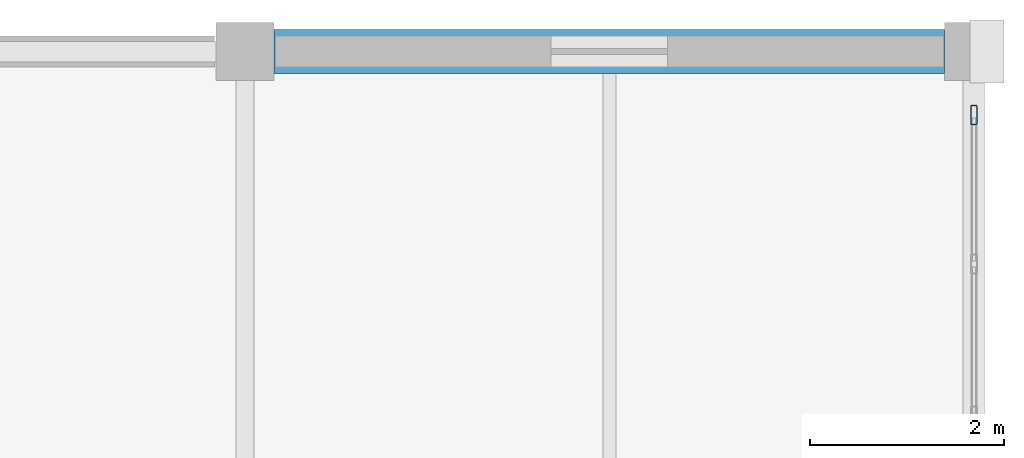
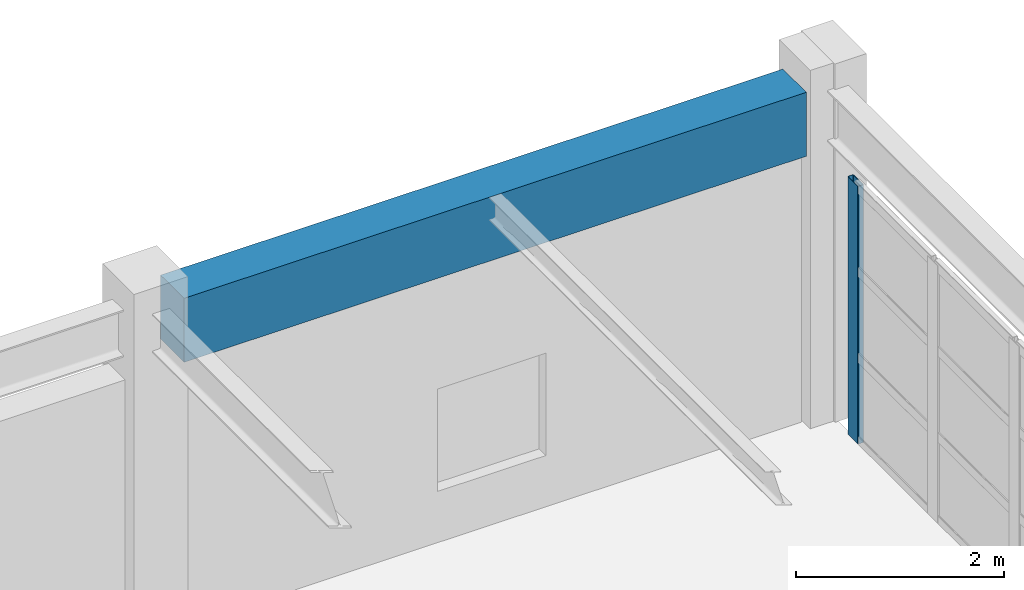
# One storey, part 75 of 124: 1 beam, 1 member, 1 element without a shape of its own.
"""IFC4 building model written with IfcOpenShell, lengths in metres."""

import ifcopenshell
import ifcopenshell.guid

model = None  # the IFC model being written
_history = None  # IfcOwnerHistory: only IFC2X3 demands one
_inside = {}  # id of a spatial element -> (the spatial element, [elements in it])
_under = {}  # id of a project, library or spatial element -> (it, [spatial elements below it])
_declared = {}  # id of a project -> (the project, [libraries it declares])
_typed = {}  # id of a type object -> (the type object, [elements of that type])
_made_of = {}  # id of a material, layer set ... -> (it, [elements and type objects made of it])


def new_model(schema):
    """Start an empty IFC model of exactly this schema.

    Asked for "IFC4X3", IfcOpenShell would pick the latest addendum, in which some entities
    have other attributes; the version numbers below select the first issue.
    IFC2X3 requires an IfcOwnerHistory on every rooted entity: one is made here for all.
    """
    global model, _history
    if schema == "IFC4X3":
        model = ifcopenshell.file(schema_version=(4, 3, 0, 0))
    else:
        model = ifcopenshell.file(schema=schema)
    _inside.clear()
    _under.clear()
    _declared.clear()
    _typed.clear()
    _made_of.clear()
    _history = None
    if model.schema == "IFC2X3":
        org = make("IfcOrganization", Name="unknown")
        user = make(
            "IfcPersonAndOrganization",
            ThePerson=make("IfcPerson", FamilyName="unknown"),
            TheOrganization=org,
        )
        app = make(
            "IfcApplication",
            ApplicationDeveloper=org,
            Version="unknown",
            ApplicationFullName="unknown",
            ApplicationIdentifier="unknown",
        )
        _history = make(
            "IfcOwnerHistory",
            OwningUser=user,
            OwningApplication=app,
            ChangeAction="ADDED",
            CreationDate=0,
        )
    return model


def make(cls, **values):
    """One entity of the class cls with the attributes given. An attribute that is None is left unset."""
    return model.create_entity(
        cls, **{name: value for name, value in values.items() if value is not None}
    )


def rooted(cls, **values):
    """An entity with a GlobalId (a new one), such as an element, a storey or a relation."""
    return make(cls, GlobalId=ifcopenshell.guid.new(), OwnerHistory=_history, **values)


def si_unit(unit_type, name, prefix=None):
    """IfcSIUnit, for example si_unit("LENGTHUNIT", "METRE", prefix="MILLI")."""
    return make("IfcSIUnit", UnitType=unit_type, Prefix=prefix, Name=name)


def assignment(units):
    """IfcUnitAssignment: the units of a project."""
    return None if units is None else make("IfcUnitAssignment", Units=units)


def point(xyz):
    """IfcCartesianPoint."""
    return None if xyz is None else make("IfcCartesianPoint", Coordinates=xyz)


def direction(xyz):
    """IfcDirection."""
    return None if xyz is None else make("IfcDirection", DirectionRatios=xyz)


def frame(location, z_axis=None, x_axis=None):
    """IfcAxis2Placement3D, a coordinate frame: its origin and axes. An axis left out is left unset."""
    return make(
        "IfcAxis2Placement3D",
        Location=point(location),
        Axis=direction(z_axis),
        RefDirection=direction(x_axis),
    )


def frame_2d(location, x_axis=None):
    """IfcAxis2Placement2D, a coordinate frame in the plane: its origin and x axis."""
    return make(
        "IfcAxis2Placement2D", Location=point(location), RefDirection=direction(x_axis)
    )


def origin():
    """The frame at (0, 0, 0) with its axes left unset."""
    return frame((0.0, 0.0, 0.0))


def origin_2d():
    """The frame at (0, 0) in the plane with its x axis left unset."""
    return frame_2d((0.0, 0.0))


def place(relative_to, where):
    """IfcLocalPlacement: puts the frame where relative to a parent placement (None: the world)."""
    return make(
        "IfcLocalPlacement", PlacementRelTo=relative_to, RelativePlacement=where
    )


def context(
    kind, dimensions, precision=None, world=None, true_north=None, identifier=None
):
    """IfcGeometricRepresentationContext, for example the 3D "Model" context."""
    return make(
        "IfcGeometricRepresentationContext",
        ContextIdentifier=identifier,
        ContextType=kind,
        CoordinateSpaceDimension=dimensions,
        Precision=precision,
        WorldCoordinateSystem=world,
        TrueNorth=true_north,
    )


def subcontext(parent, identifier, kind, view, scale=None):
    """IfcGeometricRepresentationSubContext, for example "Body" below "Model"."""
    return make(
        "IfcGeometricRepresentationSubContext",
        ContextIdentifier=identifier,
        ContextType=kind,
        ParentContext=parent,
        TargetScale=scale,
        TargetView=view,
    )


def project(units=None, contexts=None):
    """IfcProject with its units and contexts."""
    return rooted(
        "IfcProject",
        Name="project",
        RepresentationContexts=contexts,
        UnitsInContext=assignment(units),
    )


def spatial(cls, under=None, at=None, **own):
    """A site, building, storey or space (cls), placed at a placement, below another one or the project."""
    s = rooted(cls, ObjectPlacement=at, **own)
    if under is not None:
        _under.setdefault(under.id(), (under, []))[1].append(s)
    return s


def profile(cls, at=None, kind="AREA", **sizes):
    """A parametric profile (cls). Its sizes go by their IFC names, for example OverallWidth=200.0."""
    return make(cls, ProfileType=kind, Position=at, **sizes)


def rectangle(**sizes):
    """IfcRectangleProfileDef."""
    return profile("IfcRectangleProfileDef", **sizes)


def hollow_rectangle(**sizes):
    """IfcRectangleHollowProfileDef."""
    return profile("IfcRectangleHollowProfileDef", **sizes)


def extrude(swept, where, along, depth):
    """IfcExtrudedAreaSolid: the profile swept, set in the frame where, extruded along a direction by depth."""
    return make(
        "IfcExtrudedAreaSolid",
        SweptArea=swept,
        Position=where,
        ExtrudedDirection=direction(along),
        Depth=depth,
    )


def shape(context_of_items, identifier, shape_type, items):
    """IfcShapeRepresentation: the items that make up one representation, for example the "Body"."""
    return make(
        "IfcShapeRepresentation",
        ContextOfItems=context_of_items,
        RepresentationIdentifier=identifier,
        RepresentationType=shape_type,
        Items=items,
    )


def material(Name=None, Category=None):
    """IfcMaterial."""
    return make("IfcMaterial", Name=Name, Category=Category)


def material_profile(
    of_material, cross_section, Name=None, Category=None, Priority=None
):
    """IfcMaterialProfile: a cross section and its material."""
    return make(
        "IfcMaterialProfile",
        Name=Name,
        Material=of_material,
        Profile=cross_section,
        Priority=Priority,
        Category=Category,
    )


def profile_set(profiles, Name=None, composite=None):
    """IfcMaterialProfileSet."""
    return make(
        "IfcMaterialProfileSet",
        Name=Name,
        MaterialProfiles=profiles,
        CompositeProfile=composite,
    )


def made_of(thing, what):
    """Note that an element or type object is made of a material, layer set ...; save() writes the relation."""
    if what is not None:
        _made_of.setdefault(what.id(), (what, []))[1].append(thing)
    return thing


def type_object(cls, material=None, **own):
    """A type object (cls), such as IfcWallType, which elements share."""
    return made_of(rooted(cls, **own), material)


def element(
    cls,
    number,
    at=None,
    inside=None,
    cuts=None,
    type_object=None,
    material=None,
    context=None,
    identifier="Body",
    shape_type=None,
    held_by="IfcProductDefinitionShape",
    body=None,
    shapes=None,
    **own,
):
    """One element of the class cls, such as IfcWall. Its Tag is "e" and its number.

    at: its placement. inside: the storey or other place that contains it. cuts: it is an
    opening in that element (IfcRelVoidsElement). A single representation is given by context,
    identifier, shape_type and body (its items); several are given by shapes. held_by: the class
    of the entity that holds the representations. save() writes the other relations.
    """
    e = rooted(cls, Tag="e%d" % number, ObjectPlacement=at, **own)
    if body is not None:
        shapes = [shape(context, identifier, shape_type, body)]
    if shapes is not None:
        e.Representation = make(held_by, Representations=shapes)
    if inside is not None:
        _inside.setdefault(inside.id(), (inside, []))[1].append(e)
    if cuts is not None:
        rooted(
            "IfcRelVoidsElement", RelatingBuildingElement=cuts, RelatedOpeningElement=e
        )
    if type_object is not None:
        _typed.setdefault(type_object.id(), (type_object, []))[1].append(e)
    return made_of(e, material)


def aggregate(whole, parts):
    """IfcRelAggregates: a whole, such as a stair, and the parts it consists of."""
    return rooted("IfcRelAggregates", RelatingObject=whole, RelatedObjects=parts)


def save(model, path):
    """Write the relations noted so far, then the file.

    IfcRelAggregates (storeys below a building ...), IfcRelContainedInSpatialStructure (elements
    in a storey), IfcRelDefinesByType, IfcRelAssociatesMaterial and IfcRelDeclares: one each for
    every whole, place, type object, material and project.
    """
    for whole, parts in _under.values():
        aggregate(whole, parts)
    for where, things in _inside.values():
        rooted(
            "IfcRelContainedInSpatialStructure",
            RelatedElements=things,
            RelatingStructure=where,
        )
    for kind, things in _typed.values():
        rooted("IfcRelDefinesByType", RelatedObjects=things, RelatingType=kind)
    for what, things in _made_of.values():
        rooted("IfcRelAssociatesMaterial", RelatedObjects=things, RelatingMaterial=what)
    for by, libraries in _declared.values():
        rooted("IfcRelDeclares", RelatingContext=by, RelatedDefinitions=libraries)
    model.write(path)


model = new_model("IFC4")

# Units and contexts
model_context = context("Model", 3, precision=1e-05, world=origin(), true_north=direction((0.0, 1.0)))
body_context = subcontext(model_context, "Body", "Model", "MODEL_VIEW")
ifc_project = project(units=[si_unit("LENGTHUNIT", "METRE"), si_unit("AREAUNIT", "SQUARE_METRE"), si_unit("VOLUMEUNIT", "CUBIC_METRE"), si_unit("PLANEANGLEUNIT", "RADIAN"), si_unit("MASSUNIT", "GRAM", prefix="KILO")], contexts=[model_context])

# Site, building, storey
site_placement = place(None, origin())
site = spatial("IfcSite", under=ifc_project, at=site_placement, CompositionType="ELEMENT")
building_placement = place(site_placement, origin())
building = spatial("IfcBuilding", under=site, at=building_placement, Name="Qasida Concert Hall", CompositionType="ELEMENT")
storey_placement = place(building_placement, frame((0.0, 0.0, 9.0)))
storey = spatial("IfcBuildingStorey", under=building, at=storey_placement, Name="L02", CompositionType="ELEMENT", Elevation=9.0)

# Beam
ifc_material_1 = material(Name="Concrete C40/50", Category="concrete")
ifc_material_profile_1 = material_profile(ifc_material_1, rectangle(XDim=0.449951171875, YDim=0.75, at=origin_2d()), Name="RC 450x750")
ifc_profile_set_1 = profile_set([ifc_material_profile_1], Name="Concrete C40/50")
beam_type = type_object("IfcBeamType", Name="BM-SP4", PredefinedType="SPANDREL", material=ifc_profile_set_1)
beam_placement = place(storey_placement, frame((157.800048828125, 112.5, 3.52490234375), z_axis=(1.0, 0.0, 0.0), x_axis=(0.0, 1.0, 0.0)))
element("IfcBeam", 1, at=beam_placement, inside=storey, type_object=beam_type, Name="Primary girder 1382", PredefinedType="SPANDREL", context=body_context, shape_type="SweptSolid", body=[
    extrude(rectangle(XDim=0.449951171875, YDim=0.75, at=origin_2d()), origin(), (0.0, 0.0, 1.0), 6.89990234375),
])

# Curtain wall, member
ifc_material_2 = material(Name="Architectural bronze-anodized aluminium and low-E glass", Category="aluminium")
curtain_wall_type = type_object("IfcCurtainWallType", Name="CW-11", PredefinedType="NOTDEFINED", material=ifc_material_2)
curtain_wall_placement = place(storey_placement, origin())
curtain_wall = element("IfcCurtainWall", 2, at=curtain_wall_placement, inside=storey, type_object=curtain_wall_type, Name="L02 curtain wall CW-11 0177", PredefinedType="NOTDEFINED")
ifc_material_3 = material(Name="Architectural bronze-anodized aluminium EN AW-6063", Category="aluminium")
ifc_material_profile_2 = material_profile(ifc_material_3, hollow_rectangle(XDim=0.06494140625, YDim=0.199951171875, WallThickness=0.0048828125, InnerFilletRadius=0.0048828125, OuterFilletRadius=0.010009765625, at=origin_2d()), Name="CWM 200x65x5")
ifc_profile_set_2 = profile_set([ifc_material_profile_2], Name="Architectural bronze-anodized aluminium EN AW-6063")
member_type = type_object("IfcMemberType", Name="MB-CWM-2", PredefinedType="MULLION", material=ifc_profile_set_2)
member_placement = place(storey_placement, frame((165.0, 111.847412109375, 0.0), z_axis=(0.0, 0.0, 1.0), x_axis=(-1.0, 0.0, 0.0)))
member = element("IfcMember", 3, at=member_placement, type_object=member_type, Name="CW-11 mullion 5", PredefinedType="MULLION", context=body_context, shape_type="SweptSolid", body=[
    extrude(hollow_rectangle(XDim=0.06494140625, YDim=0.199951171875, WallThickness=0.0048828125, InnerFilletRadius=0.0048828125, OuterFilletRadius=0.010009765625, at=origin_2d()), origin(), (0.0, 0.0, 1.0), 3.02001953125),
])
aggregate(curtain_wall, [member])

save(model, "model.ifc")
